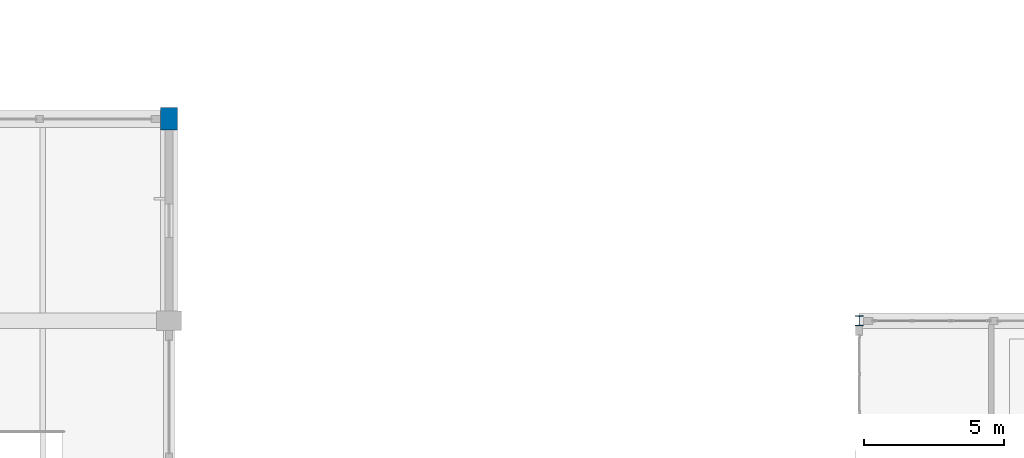
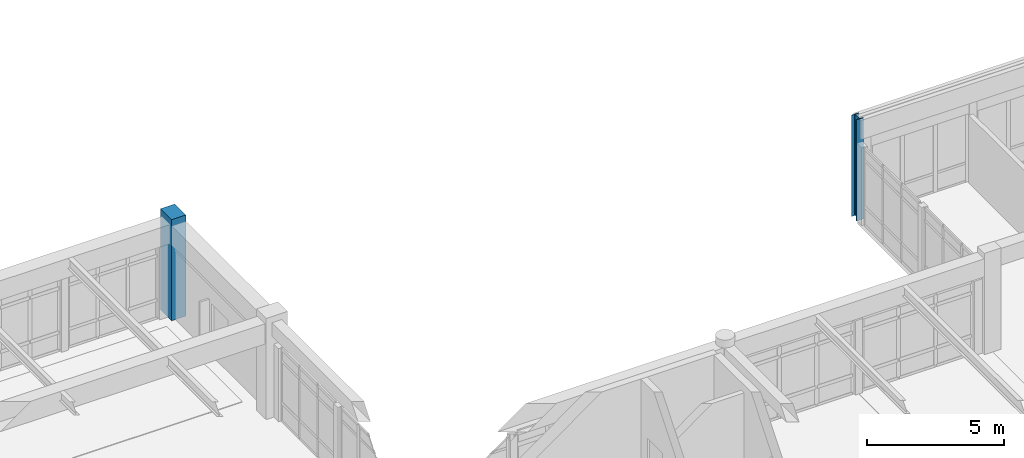
# One storey, part 8 of 80: 2 columns.
"""IFC4 building model written with IfcOpenShell, lengths in metres."""

from ifc_helpers import new_model, si_unit, direction, frame, origin, origin_2d, place, context, subcontext, project, spatial, rectangle, i_section, extrude, material, material_profile, profile_set, type_object, element, save


model = new_model("IFC4")

# Units and contexts
model_context = context("Model", 3, precision=1e-05, world=origin(), true_north=direction((0.0, 1.0)))
body_context = subcontext(model_context, "Body", "Model", "MODEL_VIEW")
ifc_project = project(units=[si_unit("LENGTHUNIT", "METRE"), si_unit("AREAUNIT", "SQUARE_METRE"), si_unit("VOLUMEUNIT", "CUBIC_METRE"), si_unit("PLANEANGLEUNIT", "RADIAN"), si_unit("MASSUNIT", "GRAM", prefix="KILO")], contexts=[model_context])

# Site, building, storey
site_placement = place(None, origin())
site = spatial("IfcSite", under=ifc_project, at=site_placement, CompositionType="ELEMENT")
building_placement = place(site_placement, origin())
building = spatial("IfcBuilding", under=site, at=building_placement, Name="Fikremerkos Civic Library", CompositionType="ELEMENT")
storey_placement = place(building_placement, frame((0.0, 0.0, 9.89990234375)))
storey = spatial("IfcBuildingStorey", under=building, at=storey_placement, Name="L02", CompositionType="ELEMENT", Elevation=9.89990234375)

# Columns
ifc_material_1 = material(Name="Concrete C40/50", Category="concrete")
ifc_material_profile_1 = material_profile(ifc_material_1, rectangle(XDim=0.800048828125, YDim=0.60009765625, at=origin_2d()), Name="RC 800x600")
ifc_profile_set_1 = profile_set([ifc_material_profile_1], Name="Concrete C40/50")
column_type_1 = type_object("IfcColumnType", Name="Structural column COL-14 RC 800x600", PredefinedType="COLUMN", material=ifc_profile_set_1)
column_1_placement = place(storey_placement, frame((100.199951171875, 48.0, 0.0), z_axis=(0.0, 0.0, 1.0), x_axis=(0.0, 1.0, 0.0)))
element("IfcColumn", 1, at=column_1_placement, inside=storey, type_object=column_type_1, Name="Column COL-14 L02 9/J", PredefinedType="COLUMN", context=body_context, shape_type="SweptSolid", body=[
    extrude(rectangle(XDim=0.800048828125, YDim=0.60009765625, at=origin_2d()), origin(), (0.0, 0.0, 1.0), 4.5),
])
ifc_material_2 = material(Name="Steel S355", Category="steel")
ifc_material_profile_2 = material_profile(ifc_material_2, i_section(OverallWidth=0.300048828125, OverallDepth=0.360107421875, WebThickness=0.012451171875, FlangeThickness=0.0224609375, FilletRadius=0.027099609375, at=origin_2d()), Name="HEB 360")
ifc_profile_set_2 = profile_set([ifc_material_profile_2], Name="Steel S355")
column_type_2 = type_object("IfcColumnType", Name="Structural column COL-25 HEB 360", PredefinedType="COLUMN", material=ifc_profile_set_2)
column_2_placement = place(storey_placement, frame((124.800048828125, 40.800048828125, 0.0), z_axis=(0.0, 0.0, 1.0), x_axis=(1.0, 0.0, 0.0)))
element("IfcColumn", 2, at=column_2_placement, inside=storey, type_object=column_type_2, Name="Column COL-25 L02 11/H", PredefinedType="COLUMN", context=body_context, shape_type="SweptSolid", body=[
    extrude(i_section(OverallWidth=0.300048828125, OverallDepth=0.360107421875, WebThickness=0.012451171875, FlangeThickness=0.0224609375, FilletRadius=0.027099609375, at=origin_2d()), origin(), (0.0, 0.0, 1.0), 4.5),
])

save(model, "model.ifc")
